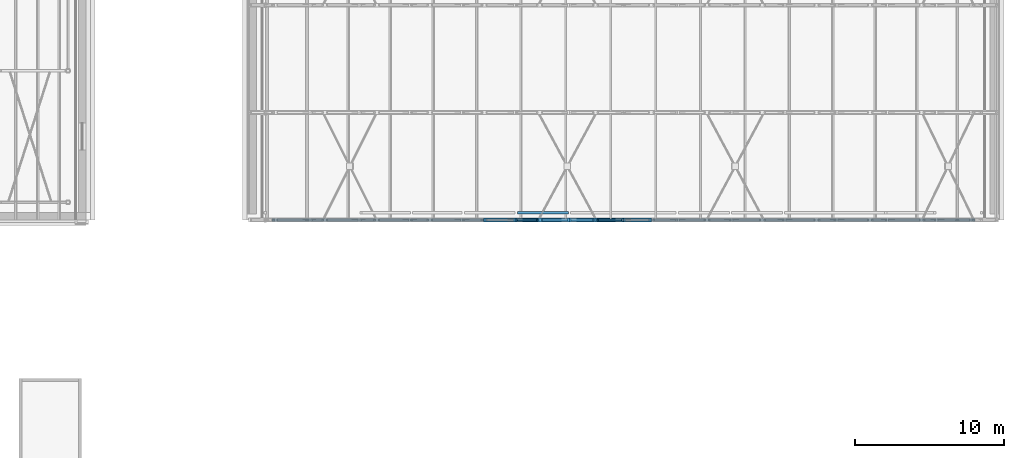
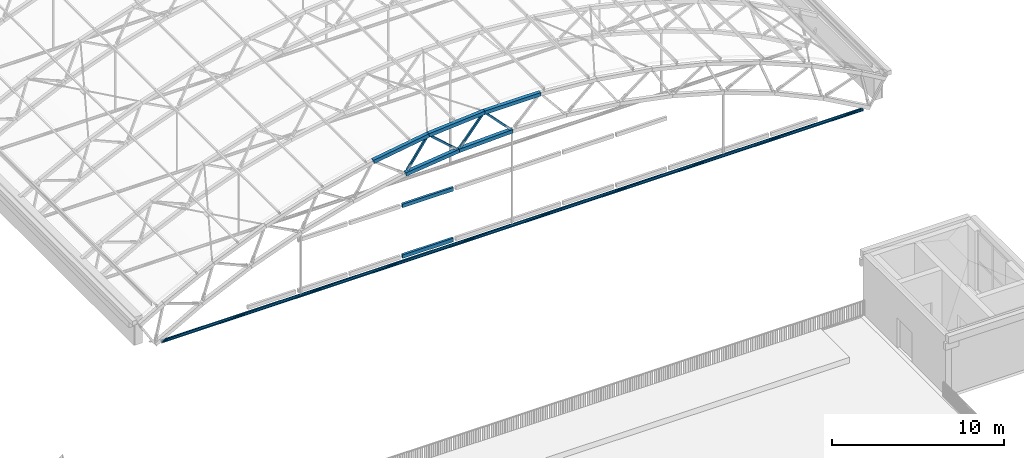
# One storey, part 47 of 127: 10 members, 2 beams.
"""IFC4 building model written with IfcOpenShell, lengths in metres."""

from ifc_helpers import new_model, si_unit, direction, frame, origin, origin_2d, place, context, subcontext, project, spatial, hollow_rectangle, hollow_circle, extrude, material, material_profile, profile_set, type_object, element, save


model = new_model("IFC4")

# Units and contexts
model_context = context("Model", 3, precision=1e-05, world=origin(), true_north=direction((0.0, 1.0)))
body_context = subcontext(model_context, "Body", "Model", "MODEL_VIEW")
ifc_project = project(units=[si_unit("LENGTHUNIT", "METRE"), si_unit("AREAUNIT", "SQUARE_METRE"), si_unit("VOLUMEUNIT", "CUBIC_METRE"), si_unit("PLANEANGLEUNIT", "RADIAN"), si_unit("MASSUNIT", "GRAM", prefix="KILO")], contexts=[model_context])

# Site, building, storey
site_placement = place(None, origin())
site = spatial("IfcSite", under=ifc_project, at=site_placement, CompositionType="ELEMENT")
building_placement = place(site_placement, origin())
building = spatial("IfcBuilding", under=site, at=building_placement, Name="Verrick Yard Athletic Hall", CompositionType="ELEMENT")
storey_placement = place(building_placement, frame((0.0, 0.0, 14.0)))
storey = spatial("IfcBuildingStorey", under=building, at=storey_placement, Name="L03", CompositionType="ELEMENT", Elevation=14.0)

# Members
ifc_material = material(Name="Structural steel HSS Class C 350W (CSA G40.20/G40.21)", Category="steel")
ifc_material_profile_1 = material_profile(ifc_material, hollow_rectangle(XDim=0.25390625, YDim=0.25390625, WallThickness=0.009521484375, at=origin_2d()), Name="HSS254x254x9.5")
ifc_profile_set_1 = profile_set([ifc_material_profile_1], Name="Structural steel HSS Class C 350W (CSA G40.20/G40.21)")
member_type_1 = type_object("IfcMemberType", Name="HB bottom chord HSS254x254x9.5", PredefinedType="CHORD", material=ifc_profile_set_1)
member_1_placement = place(storey_placement, frame((138.42041015625, 72.0, 6.193359375), z_axis=(0.993094882284, 0.0, 0.117313915545), x_axis=(0.0, 1.0, 0.0)))
element("IfcMember", 1, at=member_1_placement, inside=storey, type_object=member_type_1, Name="Truss TA1 bottom chord 6", PredefinedType="CHORD", context=body_context, shape_type="SweptSolid", body=[
    extrude(hollow_rectangle(XDim=0.25390625, YDim=0.25390625, WallThickness=0.009521484375, at=origin_2d()), origin(), (0.0, 0.0, 1.0), 3.59619140625),
])
member_2_placement = place(storey_placement, frame((142.001708984375, 72.0, 6.615966796875), z_axis=(0.999229759959, 0.0, 0.039241391579), x_axis=(0.0, 1.0, 0.0)))
element("IfcMember", 2, at=member_2_placement, inside=storey, type_object=member_type_1, Name="Truss TA1 bottom chord 7", PredefinedType="CHORD", context=body_context, shape_type="SweptSolid", body=[
    extrude(hollow_rectangle(XDim=0.25390625, YDim=0.25390625, WallThickness=0.009521484375, at=origin_2d()), origin(), (0.0, 0.0, 1.0), 3.595947265625),
])
ifc_material_profile_2 = material_profile(ifc_material, hollow_circle(Radius=0.109619140625, WallThickness=0.0126953125, at=origin_2d()), Name="HSS219x13")
ifc_profile_set_2 = profile_set([ifc_material_profile_2], Name="Structural steel HSS Class C 350W (CSA G40.20/G40.21)")
member_type_2 = type_object("IfcMemberType", Name="HB tie rod HSS219x13", PredefinedType="MEMBER", material=ifc_profile_set_2)
member_3_placement = place(storey_placement, frame((122.056396484375, 72.0, 0.0), z_axis=(1.0, 0.0, 0.0), x_axis=(0.0, 1.0, 0.0)))
element("IfcMember", 3, at=member_3_placement, inside=storey, type_object=member_type_2, Name="Truss TA1 tie 1", PredefinedType="MEMBER", context=body_context, shape_type="SweptSolid", body=[
    extrude(hollow_circle(Radius=0.109619140625, WallThickness=0.0126953125, at=origin_2d()), origin(), (0.0, 0.0, 1.0), 47.08740234375),
])
ifc_material_profile_3 = material_profile(ifc_material, hollow_rectangle(XDim=0.25390625, YDim=0.25390625, WallThickness=0.009521484375, at=origin_2d()), Name="HSS254x254x9.5")
ifc_profile_set_3 = profile_set([ifc_material_profile_3], Name="Structural steel HSS Class C 350W (CSA G40.20/G40.21)")
member_type_3 = type_object("IfcMemberType", Name="HB top chord HSS254x254x9.5", PredefinedType="CHORD", material=ifc_profile_set_3)
for number, where, z_axis, x_axis, name in (
    (4, (136.255615234375, 72.0, 7.838623046875), (0.987726014692, 0.0, 0.156196414495), (0.0, 1.0, 0.0), "Truss TA1 top chord 6"),
    (5, (139.97216796875, 72.0, 8.426025390625), (0.996928028323, 0.0, 0.078323089468), (0.0, 1.0, 0.0), "Truss TA1 top chord 7"),
):
    element("IfcMember", number, at=place(storey_placement, frame(where, z_axis=z_axis, x_axis=x_axis)), inside=storey, type_object=member_type_3, Name=name, PredefinedType="CHORD", context=body_context, shape_type="SweptSolid", body=[
        extrude(hollow_rectangle(XDim=0.25390625, YDim=0.25390625, WallThickness=0.009521484375, at=origin_2d()), origin(), (0.0, 0.0, 1.0), 3.7529296875),
    ])
member_4_placement = place(storey_placement, frame((143.7236328125, 72.0, 8.72021484375), z_axis=(1.0, 0.0, 0.0), x_axis=(0.0, 1.0, 0.0)))
element("IfcMember", 6, at=member_4_placement, inside=storey, type_object=member_type_3, Name="Truss TA1 top chord 8", PredefinedType="CHORD", context=body_context, shape_type="SweptSolid", body=[
    extrude(hollow_rectangle(XDim=0.25390625, YDim=0.25390625, WallThickness=0.009521484375, at=origin_2d()), origin(), (0.0, 0.0, 1.0), 3.752685546875),
])
ifc_material_profile_4 = material_profile(ifc_material, hollow_rectangle(XDim=0.126953125, YDim=0.126953125, WallThickness=0.009521484375, at=origin_2d()), Name="HSS127x127x9.5")
ifc_profile_set_4 = profile_set([ifc_material_profile_4], Name="Structural steel HSS Class C 350W (CSA G40.20/G40.21)")
member_type_4 = type_object("IfcMemberType", Name="HB truss web HSS127x127x9.5", PredefinedType="BRACE", material=ifc_profile_set_4)
for number, where, z_axis, x_axis, name in (
    (7, (138.5576171875, 72.0, 6.39697265625), (0.570664111571, 0.0, 0.821183579819), (0.0, 1.0, 0.0), "Truss TA1 web 11"),
    (8, (140.14404296875, 72.0, 8.26806640625), (0.746340924984, 0.0, -0.665563838932), (0.0, 1.0, 0.0), "Truss TA1 web 12"),
    (9, (142.154296875, 72.0, 6.808349609375), (0.633202076169, 0.0, 0.773986518445), (0.0, 1.0, 0.0), "Truss TA1 web 13"),
    (10, (143.88232421875, 72.0, 8.54931640625), (0.691974203846, 0.0, -0.721922226568), (0.0, 1.0, 0.0), "Truss TA1 web 14"),
):
    element("IfcMember", number, at=place(storey_placement, frame(where, z_axis=z_axis, x_axis=x_axis)), inside=storey, type_object=member_type_4, Name=name, PredefinedType="BRACE", context=body_context, shape_type="SweptSolid", body=[
        extrude(hollow_rectangle(XDim=0.126953125, YDim=0.126953125, WallThickness=0.009521484375, at=origin_2d()), origin(), (0.0, 0.0, 1.0), 2.233642578125),
    ])

# Beams
ifc_material_profile_5 = material_profile(ifc_material, hollow_rectangle(XDim=0.15234375, YDim=0.25390625, WallThickness=0.009521484375, at=origin_2d()), Name="HSS254x152x9.5")
ifc_profile_set_5 = profile_set([ifc_material_profile_5], Name="Structural steel HSS Class C 350W (CSA G40.20/G40.21)")
beam_type = type_object("IfcBeamType", Name="HB wind girder HSS254x152x9.5", PredefinedType="BEAM", material=ifc_profile_set_5)
for number, where, z_axis, x_axis, name in (
    (11, (138.49169921875, 72.49462890625, 0.0), (1.0, 0.0, 0.0), (0.0, 1.0, 0.0), "HB-WG-AS-140-4"),
    (12, (138.49169921875, 72.49462890625, 3.60009765625), (1.0, 0.0, 0.0), (0.0, 1.0, 0.0), "HB-WG-AS-176-3"),
):
    element("IfcBeam", number, at=place(storey_placement, frame(where, z_axis=z_axis, x_axis=x_axis)), inside=storey, type_object=beam_type, Name=name, PredefinedType="BEAM", context=body_context, shape_type="SweptSolid", body=[
        extrude(hollow_rectangle(XDim=0.15234375, YDim=0.25390625, WallThickness=0.009521484375, at=origin_2d()), origin(), (0.0, 0.0, 1.0), 3.4287109375),
    ])

save(model, "model.ifc")
